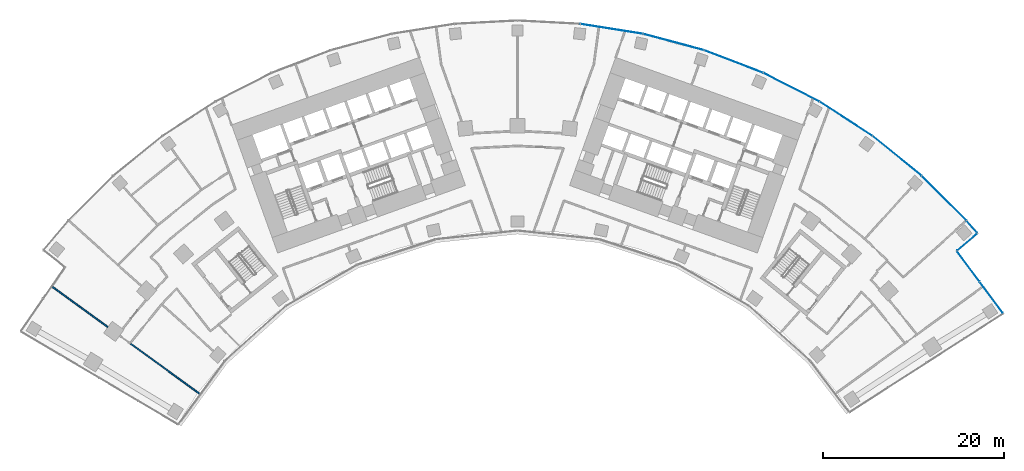
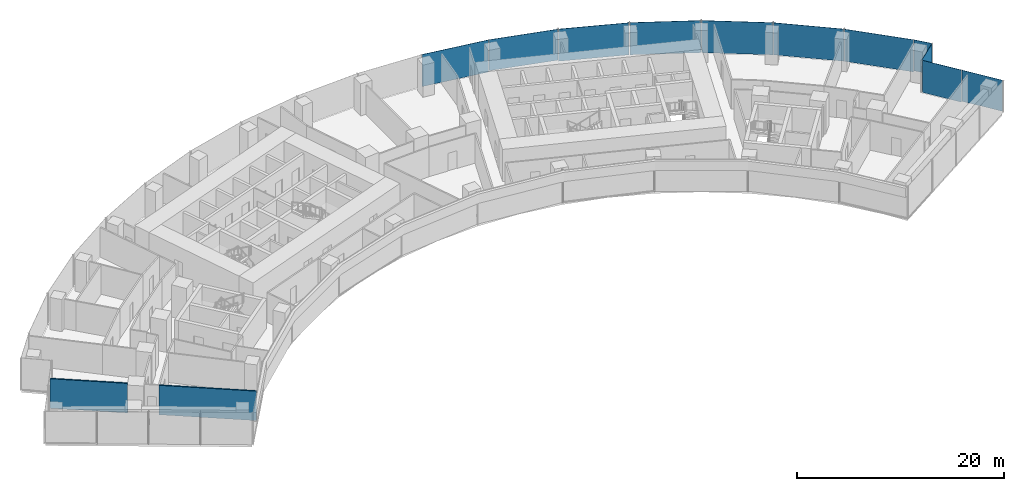
# One storey, part 13 of 21: 11 plates, 2 walls, 3 elements without a shape of their own.
"""IFC4 building model written with IfcOpenShell, lengths in metres."""

from ifc_helpers import new_model, si_unit, direction, frame, frame_2d, origin, origin_2d, place, context, subcontext, project, spatial, rectangle, extrude, material, layer, layer_set, type_object, element, aggregate, save


model = new_model("IFC4")

# Units and contexts
model_context = context("Model", 3, precision=1e-05, world=origin(), true_north=direction((0.0, 1.0)))
body_context = subcontext(model_context, "Body", "Model", "MODEL_VIEW")
ifc_project = project(units=[si_unit("LENGTHUNIT", "METRE"), si_unit("AREAUNIT", "SQUARE_METRE"), si_unit("VOLUMEUNIT", "CUBIC_METRE"), si_unit("PLANEANGLEUNIT", "RADIAN"), si_unit("MASSUNIT", "GRAM", prefix="KILO")], contexts=[model_context])

# Site, building, storey
site_placement = place(None, origin())
site = spatial("IfcSite", under=ifc_project, at=site_placement, CompositionType="ELEMENT")
building_placement = place(site_placement, origin())
building = spatial("IfcBuilding", under=site, at=building_placement, Name="Stone Belt Terrace Tower", CompositionType="ELEMENT")
storey_placement = place(building_placement, frame((0.0, 0.0, 49.0)))
storey = spatial("IfcBuildingStorey", under=building, at=storey_placement, Name="L11", CompositionType="ELEMENT", Elevation=49.0)

# Curtain wall, plates
ifc_material_1 = material(Name="Aluminium 6063-T6 anodised frame", Category="aluminium")
ifc_layer_1 = layer(ifc_material_1, 0.14990234375)
ifc_layer_set_1 = layer_set([ifc_layer_1], Name="CW-A unitised convex-face curtain wall")
curtain_wall_type_1 = type_object("IfcCurtainWallType", Name="CW-A unitised convex-face curtain wall", PredefinedType="NOTDEFINED", material=ifc_layer_set_1)
curtain_wall_1_placement = place(storey_placement, origin())
curtain_wall_1 = element("IfcCurtainWall", 1, at=curtain_wall_1_placement, inside=storey, type_object=curtain_wall_type_1, Name="CW-A convex face L11", PredefinedType="NOTDEFINED")
ifc_material_2 = material(Name="Clear double glazed unit")
ifc_layer_2 = layer(ifc_material_2, 0.031982421875)
ifc_layer_set_2 = layer_set([ifc_layer_2], Name="CW-A glass panel 32")
plate_type_1 = type_object("IfcPlateType", Name="CW-A glass panel 32", PredefinedType="CURTAIN_PANEL", material=ifc_layer_set_2)
plate_1_placement = place(storey_placement, frame((50.075439453125, 43.862060546875, 0.14013671875), z_axis=(0.0, 0.0, 1.0), x_axis=(-0.659073728338, 0.752078334095, 0.0)))
plate_1 = element("IfcPlate", 2, at=plate_1_placement, type_object=plate_type_1, Name="CW-A panel 1.1", PredefinedType="CURTAIN_PANEL", context=body_context, shape_type="SweptSolid", body=[
    extrude(rectangle(XDim=1.760498046875, YDim=0.031982421875, at=origin_2d()), origin(), (0.0, 0.0, 1.0), 3.659912109375),
])
plate_2_placement = place(storey_placement, frame((47.01123046875, 47.01123046875, 0.0), z_axis=(0.0, 0.0, 1.0), x_axis=(-0.707106781187, 0.707106781187, 0.0)))
plate_2 = element("IfcPlate", 3, at=plate_2_placement, type_object=plate_type_1, Name="CW-A panel 2.1", PredefinedType="CURTAIN_PANEL", context=body_context, shape_type="SweptSolid", body=[
    extrude(rectangle(XDim=6.900634765625, YDim=0.031982421875, at=origin_2d()), origin(), (0.0, 0.0, 1.0), 3.800048828125),
])
plate_3_placement = place(storey_placement, frame((41.839599609375, 51.667724609375, 0.0), z_axis=(0.0, 0.0, 1.0), x_axis=(-0.777145961457, 0.62932039105, 0.0)))
plate_3 = element("IfcPlate", 4, at=plate_3_placement, type_object=plate_type_1, Name="CW-A panel 3.1", PredefinedType="CURTAIN_PANEL", context=body_context, shape_type="SweptSolid", body=[
    extrude(rectangle(XDim=6.90087890625, YDim=0.031982421875, at=origin_2d()), origin(), (0.0, 0.0, 1.0), 3.800048828125),
])
plate_4_placement = place(storey_placement, frame((36.209716796875, 55.758056640625, 0.0), z_axis=(0.0, 0.0, 1.0), x_axis=(-0.838670567945, 0.544639035015, 0.0)))
plate_4 = element("IfcPlate", 5, at=plate_4_placement, type_object=plate_type_1, Name="CW-A panel 4.1", PredefinedType="CURTAIN_PANEL", context=body_context, shape_type="SweptSolid", body=[
    extrude(rectangle(XDim=6.90087890625, YDim=0.031982421875, at=origin_2d()), origin(), (0.0, 0.0, 1.0), 3.800048828125),
])
plate_5_placement = place(storey_placement, frame((30.18310546875, 59.237548828125, 0.0), z_axis=(0.0, 0.0, 1.0), x_axis=(-0.891006524188, 0.45399049974, 0.0)))
plate_5 = element("IfcPlate", 6, at=plate_5_placement, type_object=plate_type_1, Name="CW-A panel 5.1", PredefinedType="CURTAIN_PANEL", context=body_context, shape_type="SweptSolid", body=[
    extrude(rectangle(XDim=6.90087890625, YDim=0.031982421875, at=origin_2d()), origin(), (0.0, 0.0, 1.0), 3.800048828125),
])
plate_6_placement = place(storey_placement, frame((23.82568359375, 62.068115234375, 0.0), z_axis=(0.0, 0.0, 1.0), x_axis=(-0.933580426497, 0.358367949545, 0.0)))
plate_6 = element("IfcPlate", 7, at=plate_6_placement, type_object=plate_type_1, Name="CW-A panel 6.1", PredefinedType="CURTAIN_PANEL", context=body_context, shape_type="SweptSolid", body=[
    extrude(rectangle(XDim=6.90087890625, YDim=0.031982421875, at=origin_2d()), origin(), (0.0, 0.0, 1.0), 3.800048828125),
])
plate_7_placement = place(storey_placement, frame((17.207275390625, 64.218505859375, 0.14013671875), z_axis=(0.0, 0.0, 1.0), x_axis=(-0.965925826289, 0.258819045103, 0.0)))
plate_7 = element("IfcPlate", 8, at=plate_7_placement, type_object=plate_type_1, Name="CW-A panel 7.1", PredefinedType="CURTAIN_PANEL", context=body_context, shape_type="SweptSolid", body=[
    extrude(rectangle(XDim=6.90087890625, YDim=0.031982421875, at=origin_2d()), origin(), (0.0, 0.0, 1.0), 3.659912109375),
])
plate_8_placement = place(storey_placement, frame((10.400390625, 65.665283203125, 0.0), z_axis=(0.0, 0.0, 1.0), x_axis=(-0.987688340595, 0.15643446504, 0.0)))
plate_8 = element("IfcPlate", 9, at=plate_8_placement, type_object=plate_type_1, Name="CW-A panel 8.1", PredefinedType="CURTAIN_PANEL", context=body_context, shape_type="SweptSolid", body=[
    extrude(rectangle(XDim=6.90087890625, YDim=0.031982421875, at=origin_2d()), origin(), (0.0, 0.0, 1.0), 3.800048828125),
])
aggregate(curtain_wall_1, [plate_1, plate_2, plate_3, plate_4, plate_5, plate_6, plate_7, plate_8])

ifc_layer_3 = layer(ifc_material_1, 0.14990234375)
ifc_layer_set_3 = layer_set([ifc_layer_3], Name="CW-C stick curtain wall, horn ends and notches")
curtain_wall_type_2 = type_object("IfcCurtainWallType", Name="CW-C stick curtain wall, horn ends and notches", PredefinedType="NOTDEFINED", material=ifc_layer_set_3)
curtain_wall_2_placement = place(storey_placement, origin())
curtain_wall_2 = element("IfcCurtainWall", 10, at=curtain_wall_2_placement, inside=storey, type_object=curtain_wall_type_2, Name="CW-C notch face L11", PredefinedType="NOTDEFINED")
ifc_layer_4 = layer(ifc_material_2, 0.028076171875)
ifc_layer_set_4 = layer_set([ifc_layer_4], Name="CW-C glass panel 28")
plate_type_2 = type_object("IfcPlateType", Name="CW-C glass panel 28", PredefinedType="CURTAIN_PANEL", material=ifc_layer_set_4)
plate_9_placement = place(storey_placement, frame((52.224609375, 36.063720703125, 0.1201171875), z_axis=(0.0, 0.0, 1.0), x_axis=(-0.59596392258, 0.803011209749, 0.0)))
plate_9 = element("IfcPlate", 11, at=plate_9_placement, type_object=plate_type_2, Name="CW-C panel 1.1", PredefinedType="CURTAIN_PANEL", context=body_context, shape_type="SweptSolid", body=[
    extrude(rectangle(XDim=4.268798828125, YDim=0.028076171875, at=origin_2d()), origin(), (0.0, 0.0, 1.0), 3.679931640625),
])
plate_10_placement = place(storey_placement, frame((49.68896484375, 39.480224609375, 0.0), z_axis=(0.0, 0.0, 1.0), x_axis=(-0.59596392258, 0.803011209749, 0.0)))
plate_10 = element("IfcPlate", 12, at=plate_10_placement, type_object=plate_type_2, Name="CW-C panel 2.1", PredefinedType="CURTAIN_PANEL", context=body_context, shape_type="SweptSolid", body=[
    extrude(rectangle(XDim=4.12060546875, YDim=0.028076171875, at=origin_2d()), origin(), (0.0, 0.0, 1.0), 3.800048828125),
])
aggregate(curtain_wall_2, [plate_9, plate_10])

# Curtain wall, plate
curtain_wall_3_placement = place(storey_placement, origin())
curtain_wall_3 = element("IfcCurtainWall", 13, at=curtain_wall_3_placement, inside=storey, type_object=curtain_wall_type_2, Name="CW-C notch face L11", PredefinedType="NOTDEFINED")
plate_11_placement = place(storey_placement, frame((49.560546875, 42.168212890625, 0.1201171875), z_axis=(0.0, 0.0, 1.0), x_axis=(0.760875755373, 0.648897591986, 0.0)))
plate_11 = element("IfcPlate", 14, at=plate_11_placement, type_object=plate_type_2, Name="CW-C panel 1.1", PredefinedType="CURTAIN_PANEL", context=body_context, shape_type="SweptSolid", body=[
    extrude(rectangle(XDim=2.8583984375, YDim=0.028076171875, at=origin_2d()), origin(), (0.0, 0.0, 1.0), 3.679931640625),
])
aggregate(curtain_wall_3, [plate_11])

# Walls
ifc_material_3 = material(Name="Gypsum board partition")
ifc_layer_5 = layer(ifc_material_3, 0.14990234375)
ifc_layer_set_5 = layer_set([ifc_layer_5], Name="PARTITION 150 EI 60")
wall_type = type_object("IfcWallType", Name="PARTITION 150 EI 60", PredefinedType="PARTITIONING", material=ifc_layer_set_5)
wall_1_placement = place(storey_placement, frame((-42.700927734375, 31.02294921875, 0.0), z_axis=(0.0, 0.0, 1.0), x_axis=(0.809056214553, -0.587731266561, 0.0)))
element("IfcWall", 15, at=wall_1_placement, inside=storey, type_object=wall_type, Name="L11/wall/i035", PredefinedType="PARTITIONING", context=body_context, shape_type="SweptSolid", body=[
    extrude(rectangle(XDim=9.494384765625, YDim=0.14990234375, at=frame_2d((4.7470703125, 0.0))), origin(), (0.0, 0.0, 1.0), 3.47998046875),
])
wall_2_placement = place(storey_placement, frame((-51.27294921875, 37.251708984375, 0.0), z_axis=(0.0, 0.0, 1.0), x_axis=(0.808996210437, -0.587813857865, 0.0)))
element("IfcWall", 16, at=wall_2_placement, inside=storey, type_object=wall_type, Name="L11/wall/i036", PredefinedType="PARTITIONING", context=body_context, shape_type="SweptSolid", body=[
    extrude(rectangle(XDim=7.546630859375, YDim=0.14990234375, at=frame_2d((3.7734375, 0.0))), origin(), (0.0, 0.0, 1.0), 3.47998046875),
])

save(model, "model.ifc")
